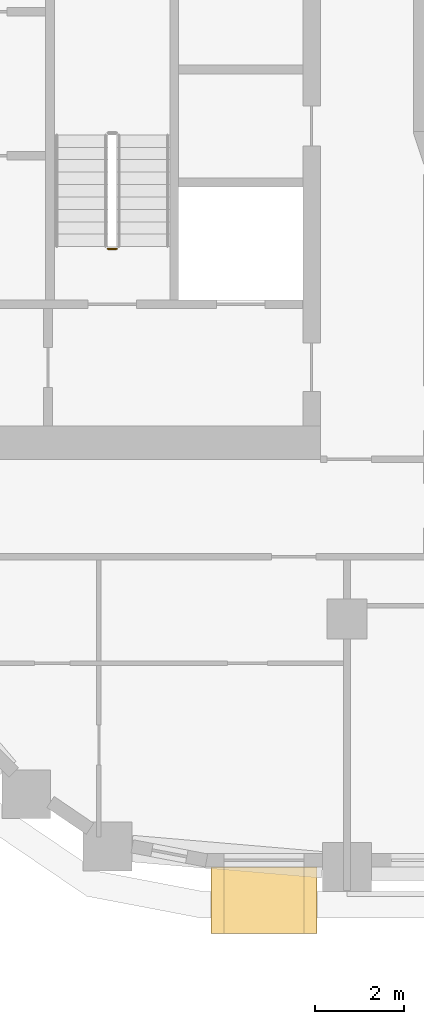
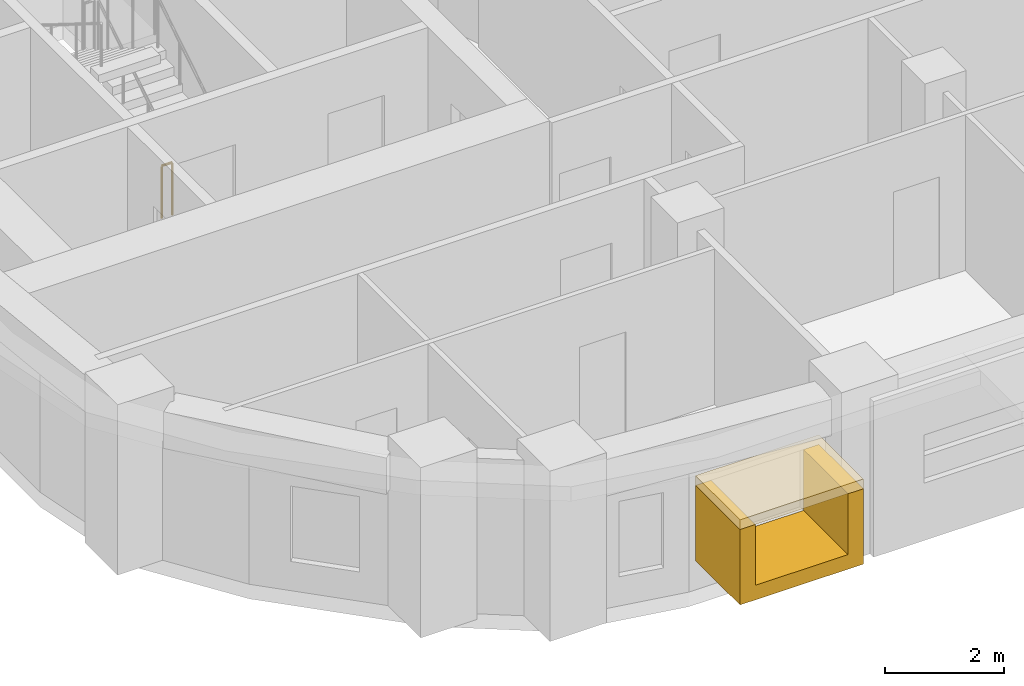
# One storey, part 11 of 22: 2 coverings, 1 railing.
"""IFC4 building model written with IfcOpenShell, lengths in metres."""

import ifcopenshell
import ifcopenshell.guid

model = None  # the IFC model being written
_history = None  # IfcOwnerHistory: only IFC2X3 demands one
_inside = {}  # id of a spatial element -> (the spatial element, [elements in it])
_under = {}  # id of a project, library or spatial element -> (it, [spatial elements below it])
_declared = {}  # id of a project -> (the project, [libraries it declares])
_typed = {}  # id of a type object -> (the type object, [elements of that type])
_made_of = {}  # id of a material, layer set ... -> (it, [elements and type objects made of it])


def new_model(schema):
    """Start an empty IFC model of exactly this schema.

    Asked for "IFC4X3", IfcOpenShell would pick the latest addendum, in which some entities
    have other attributes; the version numbers below select the first issue.
    IFC2X3 requires an IfcOwnerHistory on every rooted entity: one is made here for all.
    """
    global model, _history
    if schema == "IFC4X3":
        model = ifcopenshell.file(schema_version=(4, 3, 0, 0))
    else:
        model = ifcopenshell.file(schema=schema)
    _inside.clear()
    _under.clear()
    _declared.clear()
    _typed.clear()
    _made_of.clear()
    _history = None
    if model.schema == "IFC2X3":
        org = make("IfcOrganization", Name="unknown")
        user = make(
            "IfcPersonAndOrganization",
            ThePerson=make("IfcPerson", FamilyName="unknown"),
            TheOrganization=org,
        )
        app = make(
            "IfcApplication",
            ApplicationDeveloper=org,
            Version="unknown",
            ApplicationFullName="unknown",
            ApplicationIdentifier="unknown",
        )
        _history = make(
            "IfcOwnerHistory",
            OwningUser=user,
            OwningApplication=app,
            ChangeAction="ADDED",
            CreationDate=0,
        )
    return model


def make(cls, **values):
    """One entity of the class cls with the attributes given. An attribute that is None is left unset."""
    return model.create_entity(
        cls, **{name: value for name, value in values.items() if value is not None}
    )


def rooted(cls, **values):
    """An entity with a GlobalId (a new one), such as an element, a storey or a relation."""
    return make(cls, GlobalId=ifcopenshell.guid.new(), OwnerHistory=_history, **values)


def si_unit(unit_type, name, prefix=None):
    """IfcSIUnit, for example si_unit("LENGTHUNIT", "METRE", prefix="MILLI")."""
    return make("IfcSIUnit", UnitType=unit_type, Prefix=prefix, Name=name)


def assignment(units):
    """IfcUnitAssignment: the units of a project."""
    return None if units is None else make("IfcUnitAssignment", Units=units)


def point(xyz):
    """IfcCartesianPoint."""
    return None if xyz is None else make("IfcCartesianPoint", Coordinates=xyz)


def direction(xyz):
    """IfcDirection."""
    return None if xyz is None else make("IfcDirection", DirectionRatios=xyz)


def frame(location, z_axis=None, x_axis=None):
    """IfcAxis2Placement3D, a coordinate frame: its origin and axes. An axis left out is left unset."""
    return make(
        "IfcAxis2Placement3D",
        Location=point(location),
        Axis=direction(z_axis),
        RefDirection=direction(x_axis),
    )


def frame_2d(location, x_axis=None):
    """IfcAxis2Placement2D, a coordinate frame in the plane: its origin and x axis."""
    return make(
        "IfcAxis2Placement2D", Location=point(location), RefDirection=direction(x_axis)
    )


def origin():
    """The frame at (0, 0, 0) with its axes left unset."""
    return frame((0.0, 0.0, 0.0))


def origin_2d():
    """The frame at (0, 0) in the plane with its x axis left unset."""
    return frame_2d((0.0, 0.0))


def place(relative_to, where):
    """IfcLocalPlacement: puts the frame where relative to a parent placement (None: the world)."""
    return make(
        "IfcLocalPlacement", PlacementRelTo=relative_to, RelativePlacement=where
    )


def context(
    kind, dimensions, precision=None, world=None, true_north=None, identifier=None
):
    """IfcGeometricRepresentationContext, for example the 3D "Model" context."""
    return make(
        "IfcGeometricRepresentationContext",
        ContextIdentifier=identifier,
        ContextType=kind,
        CoordinateSpaceDimension=dimensions,
        Precision=precision,
        WorldCoordinateSystem=world,
        TrueNorth=true_north,
    )


def subcontext(parent, identifier, kind, view, scale=None):
    """IfcGeometricRepresentationSubContext, for example "Body" below "Model"."""
    return make(
        "IfcGeometricRepresentationSubContext",
        ContextIdentifier=identifier,
        ContextType=kind,
        ParentContext=parent,
        TargetScale=scale,
        TargetView=view,
    )


def project(units=None, contexts=None):
    """IfcProject with its units and contexts."""
    return rooted(
        "IfcProject",
        Name="project",
        RepresentationContexts=contexts,
        UnitsInContext=assignment(units),
    )


def spatial(cls, under=None, at=None, **own):
    """A site, building, storey or space (cls), placed at a placement, below another one or the project."""
    s = rooted(cls, ObjectPlacement=at, **own)
    if under is not None:
        _under.setdefault(under.id(), (under, []))[1].append(s)
    return s


def polyline(points):
    """IfcPolyline through the points."""
    return make("IfcPolyline", Points=[point(p) for p in points])


def profile(cls, at=None, kind="AREA", **sizes):
    """A parametric profile (cls). Its sizes go by their IFC names, for example OverallWidth=200.0."""
    return make(cls, ProfileType=kind, Position=at, **sizes)


def rectangle(**sizes):
    """IfcRectangleProfileDef."""
    return profile("IfcRectangleProfileDef", **sizes)


def circle(**sizes):
    """IfcCircleProfileDef."""
    return profile("IfcCircleProfileDef", **sizes)


def outline(outer, holes=None, kind="AREA"):
    """IfcArbitraryClosedProfileDef: a profile drawn as a closed curve; with holes, ...WithVoids."""
    if holes is None:
        return make("IfcArbitraryClosedProfileDef", ProfileType=kind, OuterCurve=outer)
    return make(
        "IfcArbitraryProfileDefWithVoids",
        ProfileType=kind,
        OuterCurve=outer,
        InnerCurves=holes,
    )


def extrude(swept, where, along, depth):
    """IfcExtrudedAreaSolid: the profile swept, set in the frame where, extruded along a direction by depth."""
    return make(
        "IfcExtrudedAreaSolid",
        SweptArea=swept,
        Position=where,
        ExtrudedDirection=direction(along),
        Depth=depth,
    )


def shape(context_of_items, identifier, shape_type, items):
    """IfcShapeRepresentation: the items that make up one representation, for example the "Body"."""
    return make(
        "IfcShapeRepresentation",
        ContextOfItems=context_of_items,
        RepresentationIdentifier=identifier,
        RepresentationType=shape_type,
        Items=items,
    )


def material(Name=None, Category=None):
    """IfcMaterial."""
    return make("IfcMaterial", Name=Name, Category=Category)


def layer(
    of_material, thickness, ventilated=None, Name=None, Category=None, Priority=None
):
    """IfcMaterialLayer: one layer of a wall or slab, of a material (None: an air gap)."""
    return make(
        "IfcMaterialLayer",
        Material=of_material,
        LayerThickness=thickness,
        IsVentilated=ventilated,
        Name=Name,
        Category=Category,
        Priority=Priority,
    )


def layer_set(layers, Name=None):
    """IfcMaterialLayerSet."""
    return make("IfcMaterialLayerSet", MaterialLayers=layers, LayerSetName=Name)


def made_of(thing, what):
    """Note that an element or type object is made of a material, layer set ...; save() writes the relation."""
    if what is not None:
        _made_of.setdefault(what.id(), (what, []))[1].append(thing)
    return thing


def type_object(cls, material=None, **own):
    """A type object (cls), such as IfcWallType, which elements share."""
    return made_of(rooted(cls, **own), material)


def element(
    cls,
    number,
    at=None,
    inside=None,
    cuts=None,
    type_object=None,
    material=None,
    context=None,
    identifier="Body",
    shape_type=None,
    held_by="IfcProductDefinitionShape",
    body=None,
    shapes=None,
    **own,
):
    """One element of the class cls, such as IfcWall. Its Tag is "e" and its number.

    at: its placement. inside: the storey or other place that contains it. cuts: it is an
    opening in that element (IfcRelVoidsElement). A single representation is given by context,
    identifier, shape_type and body (its items); several are given by shapes. held_by: the class
    of the entity that holds the representations. save() writes the other relations.
    """
    e = rooted(cls, Tag="e%d" % number, ObjectPlacement=at, **own)
    if body is not None:
        shapes = [shape(context, identifier, shape_type, body)]
    if shapes is not None:
        e.Representation = make(held_by, Representations=shapes)
    if inside is not None:
        _inside.setdefault(inside.id(), (inside, []))[1].append(e)
    if cuts is not None:
        rooted(
            "IfcRelVoidsElement", RelatingBuildingElement=cuts, RelatedOpeningElement=e
        )
    if type_object is not None:
        _typed.setdefault(type_object.id(), (type_object, []))[1].append(e)
    return made_of(e, material)


def aggregate(whole, parts):
    """IfcRelAggregates: a whole, such as a stair, and the parts it consists of."""
    return rooted("IfcRelAggregates", RelatingObject=whole, RelatedObjects=parts)


def save(model, path):
    """Write the relations noted so far, then the file.

    IfcRelAggregates (storeys below a building ...), IfcRelContainedInSpatialStructure (elements
    in a storey), IfcRelDefinesByType, IfcRelAssociatesMaterial and IfcRelDeclares: one each for
    every whole, place, type object, material and project.
    """
    for whole, parts in _under.values():
        aggregate(whole, parts)
    for where, things in _inside.values():
        rooted(
            "IfcRelContainedInSpatialStructure",
            RelatedElements=things,
            RelatingStructure=where,
        )
    for kind, things in _typed.values():
        rooted("IfcRelDefinesByType", RelatedObjects=things, RelatingType=kind)
    for what, things in _made_of.values():
        rooted("IfcRelAssociatesMaterial", RelatedObjects=things, RelatingMaterial=what)
    for by, libraries in _declared.values():
        rooted("IfcRelDeclares", RelatingContext=by, RelatedDefinitions=libraries)
    model.write(path)


model = new_model("IFC4")

# Units and contexts
model_context = context("Model", 3, precision=1e-05, world=origin(), true_north=direction((0.0, 1.0)))
body_context = subcontext(model_context, "Body", "Model", "MODEL_VIEW")
ifc_project = project(units=[si_unit("LENGTHUNIT", "METRE"), si_unit("AREAUNIT", "SQUARE_METRE"), si_unit("VOLUMEUNIT", "CUBIC_METRE"), si_unit("PLANEANGLEUNIT", "RADIAN"), si_unit("MASSUNIT", "GRAM", prefix="KILO")], contexts=[model_context])

# Site, building, storey
site_placement = place(None, origin())
site = spatial("IfcSite", under=ifc_project, at=site_placement, CompositionType="ELEMENT")
building_placement = place(site_placement, origin())
building = spatial("IfcBuilding", under=site, at=building_placement, Name="Kiln Ring Residences", CompositionType="ELEMENT")
storey_placement = place(building_placement, frame((0.0, 0.0, 150.10009765625)))
storey = spatial("IfcBuildingStorey", under=building, at=storey_placement, Name="L38", CompositionType="ELEMENT", Elevation=150.10009765625)

# Railing
ifc_material_1 = material(Name="Stainless steel", Category="steel")
railing_type = type_object("IfcRailingType", Name="CORE-STAIR-GUARD", PredefinedType="GUARDRAIL", material=ifc_material_1)
railing_placement = place(storey_placement, frame((-22.0, -8.449951171875, 0.0)))
element("IfcRailing", 1, at=railing_placement, inside=storey, type_object=railing_type, Name="L38 W-STS stair guard 4", PredefinedType="GUARDRAIL", context=body_context, shape_type="SweptSolid", body=[
    extrude(circle(Radius=0.02392578125, at=origin_2d()), frame((0.0, 0.0, 1.076171875), z_axis=(-1.0, 0.0, 0.0), x_axis=(0.0, -1.0, 0.0)), (0.0, 0.0, 1.0), 0.199951171875),
    extrude(circle(Radius=0.02099609375, at=origin_2d()), origin(), (0.0, 0.0, 1.0), 1.052001953125),
    extrude(circle(Radius=0.02099609375, at=origin_2d()), frame((-0.199951171875, 0.0, 0.0)), (0.0, 0.0, 1.0), 1.052001953125),
])

# Coverings
ifc_material_2 = material(Name="Brick masonry, dark clay brick", Category="masonry")
ifc_layer_1 = layer(ifc_material_2, 0.300048828125)
ifc_layer_set_1 = layer_set([ifc_layer_1], Name="FRAME CHEEKS AND SILL 1500")
covering_type_1 = type_object("IfcCoveringType", Name="FRAME CHEEKS AND SILL 1500", PredefinedType="CLADDING", material=ifc_layer_set_1)
covering_1_placement = place(storey_placement, frame((-19.875, -23.14990234375, 0.599853515625), z_axis=(0.0, 0.0, 1.0), x_axis=(1.0, 0.0, 0.0)))
element("IfcCovering", 2, at=covering_1_placement, inside=storey, type_object=covering_type_1, Name="FRAME L38", PredefinedType="CLADDING", context=body_context, shape_type="SweptSolid", body=[
    extrude(outline(polyline([(0.0, 0.0), (2.39990234375, 0.0), (2.39990234375, 1.550048828125), (2.10107421875, 1.550048828125), (2.10009765625, 0.300048828125), (0.300048828125, 0.300048828125), (0.299072265625, 1.550048828125), (0.0, 1.550048828125), (0.0, 0.0)])), frame((0.0, 0.75, 0.0), z_axis=(0.0, -1.0, 0.0), x_axis=(1.0, 0.0, 0.0)), (0.0, 0.0, 1.0), 1.5),
])
ifc_material_3 = material(Name="Brick masonry, dark clay brick", Category="masonry")
ifc_layer_2 = layer(ifc_material_3, 0.199951171875)
ifc_layer_set_2 = layer_set([ifc_layer_2], Name="FRAME HEAD 1500")
covering_type_2 = type_object("IfcCoveringType", Name="FRAME HEAD 1500", PredefinedType="CLADDING", material=ifc_layer_set_2)
covering_2_placement = place(storey_placement, frame((-18.675048828125, -23.14990234375, 2.14990234375), z_axis=(0.0, 0.0, 1.0), x_axis=(1.0, 0.0, 0.0)))
element("IfcCovering", 3, at=covering_2_placement, inside=storey, type_object=covering_type_2, Name="FRAME HEAD L38", PredefinedType="CLADDING", context=body_context, shape_type="SweptSolid", body=[
    extrude(rectangle(XDim=2.39990234375, YDim=1.5, at=origin_2d()), origin(), (0.0, 0.0, 1.0), 0.199951171875),
])

save(model, "model.ifc")
